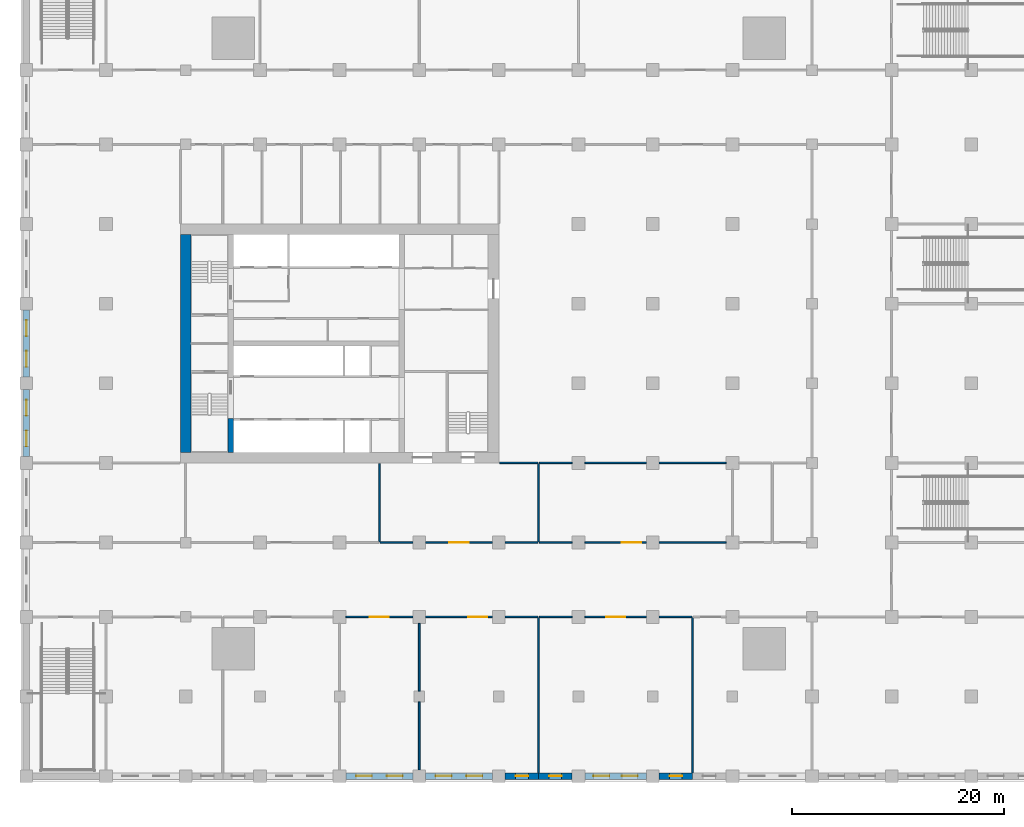
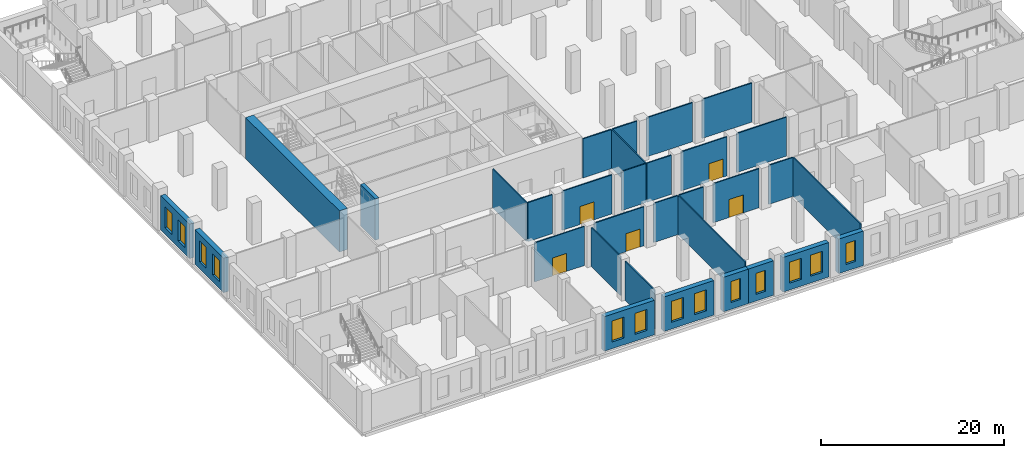
# One storey, part 7 of 35: 32 walls, 13 windows, 5 doors, 18 openings.
"""IFC4 building model written with IfcOpenShell, lengths in metres."""

from ifc_helpers import new_model, si_unit, direction, frame, frame_2d, origin, place, context, subcontext, project, spatial, rectangle, extrude, material, layer, layer_set, type_object, element, fill, save


model = new_model("IFC4")

# Units and contexts
model_context = context("Model", 3, precision=1e-05, world=origin(), true_north=direction((0.0, 1.0)))
body_context = subcontext(model_context, "Body", "Model", "MODEL_VIEW")
ifc_project = project(units=[si_unit("LENGTHUNIT", "METRE"), si_unit("AREAUNIT", "SQUARE_METRE"), si_unit("VOLUMEUNIT", "CUBIC_METRE"), si_unit("PLANEANGLEUNIT", "RADIAN"), si_unit("MASSUNIT", "GRAM", prefix="KILO")], contexts=[model_context])

# Site, building, storey
site_placement = place(None, origin())
site = spatial("IfcSite", under=ifc_project, at=site_placement, CompositionType="ELEMENT")
building_placement = place(site_placement, origin())
building = spatial("IfcBuilding", under=site, at=building_placement, Name="Tamorin Gate", CompositionType="ELEMENT")
storey_placement = place(building_placement, frame((0.0, 0.0, 8.0)))
storey = spatial("IfcBuildingStorey", under=building, at=storey_placement, Name="L01", CompositionType="ELEMENT", Elevation=8.0)

# Wall, opening, door
ifc_material_1 = material(Name="Concrete masonry C20/25", Category="masonry")
ifc_layer_1 = layer(ifc_material_1, 0.14990234375)
ifc_layer_set_1 = layer_set([ifc_layer_1], Name="Partition 150")
wall_type_1 = type_object("IfcWallType", Name="Partition 150", PredefinedType="PARTITIONING", material=ifc_layer_set_1)
wall_1_placement = place(storey_placement, frame((45.60009765625, 45.5, 0.0), z_axis=(0.0, 0.0, 1.0), x_axis=(1.0, 0.0, 0.0)))
wall_1 = element("IfcWall", 1, at=wall_1_placement, inside=storey, type_object=wall_type_1, Name="Partition 150 L01", PredefinedType="PARTITIONING", context=body_context, shape_type="SweptSolid", body=[
    extrude(rectangle(XDim=6.2998046875, YDim=0.14990234375, at=frame_2d((3.14990234375, 0.0))), origin(), (0.0, 0.0, 1.0), 5.199951171875),
])
opening_1_placement = place(wall_1_placement, frame((2.25, 0.0, 0.0)))
opening_1 = element("IfcOpeningElement", 2, at=opening_1_placement, cuts=wall_1, Name="Opening DP3", PredefinedType="OPENING", context=body_context, shape_type="SweptSolid", body=[
    extrude(rectangle(XDim=1.800048828125, YDim=2.39990234375, at=frame_2d((0.89990234375, 1.199951171875))), frame((0.0, 0.0849609375, 0.0), z_axis=(0.0, -1.0, 0.0), x_axis=(1.0, 0.0, 0.0)), (0.0, 0.0, 1.0), 0.169921875),
])
ifc_material_2 = material(Name="Steel and glass", Category="steel")
door_type = type_object("IfcDoorType", Name="Door pair 1800", OperationType="DOUBLE_DOOR_SINGLE_SWING", PredefinedType="DOOR", material=ifc_material_2)
door_1_placement = place(opening_1_placement, origin())
door_1 = element("IfcDoor", 3, at=door_1_placement, inside=storey, type_object=door_type, Name="Door pair 1800 L01", OperationType="SINGLE_SWING_LEFT", OverallHeight=2.39990234375, OverallWidth=1.800048828125, PredefinedType="DOOR", context=body_context, shape_type="SweptSolid", body=[
    extrude(rectangle(XDim=1.800048828125, YDim=2.39990234375, at=frame_2d((0.89990234375, 1.199951171875))), frame((0.0, 0.02490234375, 0.0), z_axis=(0.0, -1.0, 0.0), x_axis=(1.0, 0.0, 0.0)), (0.0, 0.0, 1.0), 0.050048828125),
])
fill(opening_1, door_1)

wall_2_placement = place(storey_placement, frame((53.10009765625, 45.5, 0.0), z_axis=(0.0, 0.0, 1.0), x_axis=(1.0, 0.0, 0.0)))
wall_2 = element("IfcWall", 4, at=wall_2_placement, inside=storey, type_object=wall_type_1, Name="Partition 150 L01", PredefinedType="PARTITIONING", context=body_context, shape_type="SweptSolid", body=[
    extrude(rectangle(XDim=6.2998046875, YDim=0.14990234375, at=frame_2d((3.14990234375, 0.0))), origin(), (0.0, 0.0, 1.0), 5.199951171875),
])
opening_2_placement = place(wall_2_placement, frame((4.0, 0.0, 0.0)))
opening_2 = element("IfcOpeningElement", 5, at=opening_2_placement, cuts=wall_2, Name="Opening DP3", PredefinedType="OPENING", context=body_context, shape_type="SweptSolid", body=[
    extrude(rectangle(XDim=1.800048828125, YDim=2.39990234375, at=frame_2d((0.89990234375, 1.199951171875))), frame((0.0, 0.0849609375, 0.0), z_axis=(0.0, -1.0, 0.0), x_axis=(1.0, 0.0, 0.0)), (0.0, 0.0, 1.0), 0.169921875),
])
door_2_placement = place(opening_2_placement, origin())
door_2 = element("IfcDoor", 6, at=door_2_placement, inside=storey, type_object=door_type, Name="Door pair 1800 L01", OperationType="SINGLE_SWING_LEFT", OverallHeight=2.39990234375, OverallWidth=1.800048828125, PredefinedType="DOOR", context=body_context, shape_type="SweptSolid", body=[
    extrude(rectangle(XDim=1.800048828125, YDim=2.39990234375, at=frame_2d((0.89990234375, 1.199951171875))), frame((0.0, 0.02490234375, 0.0), z_axis=(0.0, -1.0, 0.0), x_axis=(1.0, 0.0, 0.0)), (0.0, 0.0, 1.0), 0.050048828125),
])
fill(opening_2, door_2)

# Walls
for number, where, z_axis, x_axis, name in (
    (7, (60.60009765625, 45.5, 0.0), (0.0, 0.0, 1.0), (1.0, 0.0, 0.0), "Partition 150 L01"),
    (8, (63.824951171875, 45.5, 0.0), (0.0, 0.0, 1.0), (1.0, 0.0, 0.0), "Partition 150 L01"),
):
    element("IfcWall", number, at=place(storey_placement, frame(where, z_axis=z_axis, x_axis=x_axis)), inside=storey, type_object=wall_type_1, Name=name, PredefinedType="PARTITIONING", context=body_context, shape_type="SweptSolid", body=[
        extrude(rectangle(XDim=3.074951171875, YDim=0.14990234375, at=frame_2d((1.53759765625, 0.0))), origin(), (0.0, 0.0, 1.0), 5.199951171875),
    ])

# Wall, opening, door
wall_3_placement = place(storey_placement, frame((68.10009765625, 45.5, 0.0), z_axis=(0.0, 0.0, 1.0), x_axis=(1.0, 0.0, 0.0)))
wall_3 = element("IfcWall", 9, at=wall_3_placement, inside=storey, type_object=wall_type_1, Name="Partition 150 L01", PredefinedType="PARTITIONING", context=body_context, shape_type="SweptSolid", body=[
    extrude(rectangle(XDim=5.7998046875, YDim=0.14990234375, at=frame_2d((2.89990234375, 0.0))), origin(), (0.0, 0.0, 1.0), 5.199951171875),
])
opening_3_placement = place(wall_3_placement, frame((2.0, 0.0, 0.0)))
opening_3 = element("IfcOpeningElement", 10, at=opening_3_placement, cuts=wall_3, Name="Opening DP3", PredefinedType="OPENING", context=body_context, shape_type="SweptSolid", body=[
    extrude(rectangle(XDim=1.800048828125, YDim=2.39990234375, at=frame_2d((0.89990234375, 1.199951171875))), frame((0.0, 0.0849609375, 0.0), z_axis=(0.0, -1.0, 0.0), x_axis=(1.0, 0.0, 0.0)), (0.0, 0.0, 1.0), 0.169921875),
])
door_3_placement = place(opening_3_placement, origin())
door_3 = element("IfcDoor", 11, at=door_3_placement, inside=storey, type_object=door_type, Name="Door pair 1800 L01", OperationType="SINGLE_SWING_LEFT", OverallHeight=2.39990234375, OverallWidth=1.800048828125, PredefinedType="DOOR", context=body_context, shape_type="SweptSolid", body=[
    extrude(rectangle(XDim=1.800048828125, YDim=2.39990234375, at=frame_2d((0.89990234375, 1.199951171875))), frame((0.0, 0.02490234375, 0.0), z_axis=(0.0, -1.0, 0.0), x_axis=(1.0, 0.0, 0.0)), (0.0, 0.0, 1.0), 0.050048828125),
])
fill(opening_3, door_3)

# Walls
for number, where, z_axis, x_axis, name in (
    (12, (75.10009765625, 45.5, 0.0), (0.0, 0.0, 1.0), (1.0, 0.0, 0.0), "Partition 150 L01"),
    (13, (48.824951171875, 52.5, 0.0), (0.0, 0.0, 1.0), (1.0, 0.0, 0.0), "Partition 150 L01"),
):
    element("IfcWall", number, at=place(storey_placement, frame(where, z_axis=z_axis, x_axis=x_axis)), inside=storey, type_object=wall_type_1, Name=name, PredefinedType="PARTITIONING", context=body_context, shape_type="SweptSolid", body=[
        extrude(rectangle(XDim=3.074951171875, YDim=0.14990234375, at=frame_2d((1.53759765625, 0.0))), origin(), (0.0, 0.0, 1.0), 5.199951171875),
    ])

# Wall, opening, door
wall_4_placement = place(storey_placement, frame((59.39990234375, 52.5, 0.0), z_axis=(0.0, 0.0, 1.0), x_axis=(-1.0, 0.0, 0.0)))
wall_4 = element("IfcWall", 14, at=wall_4_placement, inside=storey, type_object=wall_type_1, Name="Partition 150 L01", PredefinedType="PARTITIONING", context=body_context, shape_type="SweptSolid", body=[
    extrude(rectangle(XDim=6.2998046875, YDim=0.14990234375, at=frame_2d((3.14990234375, 0.0))), origin(), (0.0, 0.0, 1.0), 5.199951171875),
])
opening_4_placement = place(wall_4_placement, frame((2.25, 0.0, 0.0)))
opening_4 = element("IfcOpeningElement", 15, at=opening_4_placement, cuts=wall_4, Name="Opening DP3", PredefinedType="OPENING", context=body_context, shape_type="SweptSolid", body=[
    extrude(rectangle(XDim=1.800048828125, YDim=2.39990234375, at=frame_2d((0.89990234375, 1.199951171875))), frame((0.0, 0.0849609375, 0.0), z_axis=(0.0, -1.0, 0.0), x_axis=(1.0, 0.0, 0.0)), (0.0, 0.0, 1.0), 0.169921875),
])
door_4_placement = place(opening_4_placement, origin())
door_4 = element("IfcDoor", 16, at=door_4_placement, inside=storey, type_object=door_type, Name="Door pair 1800 L01", OperationType="SINGLE_SWING_LEFT", OverallHeight=2.39990234375, OverallWidth=1.800048828125, PredefinedType="DOOR", context=body_context, shape_type="SweptSolid", body=[
    extrude(rectangle(XDim=1.800048828125, YDim=2.39990234375, at=frame_2d((0.89990234375, 1.199951171875))), frame((0.0, 0.02490234375, 0.0), z_axis=(0.0, -1.0, 0.0), x_axis=(1.0, 0.0, 0.0)), (0.0, 0.0, 1.0), 0.050048828125),
])
fill(opening_4, door_4)

# Walls
for number, where, z_axis, x_axis, name in (
    (17, (60.60009765625, 52.5, 0.0), (0.0, 0.0, 1.0), (1.0, 0.0, 0.0), "Partition 150 L01"),
    (18, (63.824951171875, 52.5, 0.0), (0.0, 0.0, 1.0), (1.0, 0.0, 0.0), "Partition 150 L01"),
):
    element("IfcWall", number, at=place(storey_placement, frame(where, z_axis=z_axis, x_axis=x_axis)), inside=storey, type_object=wall_type_1, Name=name, PredefinedType="PARTITIONING", context=body_context, shape_type="SweptSolid", body=[
        extrude(rectangle(XDim=3.074951171875, YDim=0.14990234375, at=frame_2d((1.53759765625, 0.0))), origin(), (0.0, 0.0, 1.0), 5.199951171875),
    ])

# Wall, opening, door
wall_5_placement = place(storey_placement, frame((73.89990234375, 52.5, 0.0), z_axis=(0.0, 0.0, 1.0), x_axis=(-1.0, 0.0, 0.0)))
wall_5 = element("IfcWall", 19, at=wall_5_placement, inside=storey, type_object=wall_type_1, Name="Partition 150 L01", PredefinedType="PARTITIONING", context=body_context, shape_type="SweptSolid", body=[
    extrude(rectangle(XDim=5.7998046875, YDim=0.14990234375, at=frame_2d((2.89990234375, 0.0))), origin(), (0.0, 0.0, 1.0), 5.199951171875),
])
opening_5_placement = place(wall_5_placement, frame((0.5, 0.0, 0.0)))
opening_5 = element("IfcOpeningElement", 20, at=opening_5_placement, cuts=wall_5, Name="Opening DP3", PredefinedType="OPENING", context=body_context, shape_type="SweptSolid", body=[
    extrude(rectangle(XDim=1.800048828125, YDim=2.39990234375, at=frame_2d((0.89990234375, 1.199951171875))), frame((0.0, 0.0849609375, 0.0), z_axis=(0.0, -1.0, 0.0), x_axis=(1.0, 0.0, 0.0)), (0.0, 0.0, 1.0), 0.169921875),
])
door_5_placement = place(opening_5_placement, origin())
door_5 = element("IfcDoor", 21, at=door_5_placement, inside=storey, type_object=door_type, Name="Door pair 1800 L01", OperationType="SINGLE_SWING_LEFT", OverallHeight=2.39990234375, OverallWidth=1.800048828125, PredefinedType="DOOR", context=body_context, shape_type="SweptSolid", body=[
    extrude(rectangle(XDim=1.800048828125, YDim=2.39990234375, at=frame_2d((0.89990234375, 1.199951171875))), frame((0.0, 0.02490234375, 0.0), z_axis=(0.0, -1.0, 0.0), x_axis=(1.0, 0.0, 0.0)), (0.0, 0.0, 1.0), 0.050048828125),
])
fill(opening_5, door_5)

# Walls
wall_6_placement = place(storey_placement, frame((75.10009765625, 52.5, 0.0), z_axis=(0.0, 0.0, 1.0), x_axis=(1.0, 0.0, 0.0)))
element("IfcWall", 22, at=wall_6_placement, inside=storey, type_object=wall_type_1, Name="Partition 150 L01", PredefinedType="PARTITIONING", context=body_context, shape_type="SweptSolid", body=[
    extrude(rectangle(XDim=6.2998046875, YDim=0.14990234375, at=frame_2d((3.14990234375, 0.0))), origin(), (0.0, 0.0, 1.0), 5.199951171875),
])
wall_7_placement = place(storey_placement, frame((60.074951171875, 60.0, 0.0), z_axis=(0.0, 0.0, 1.0), x_axis=(1.0, 0.0, 0.0)))
element("IfcWall", 23, at=wall_7_placement, inside=storey, type_object=wall_type_1, Name="Partition 150 L01", PredefinedType="PARTITIONING", context=body_context, shape_type="SweptSolid", body=[
    extrude(rectangle(XDim=3.60009765625, YDim=0.14990234375, at=frame_2d((1.800048828125, 0.0))), origin(), (0.0, 0.0, 1.0), 5.199951171875),
])
wall_8_placement = place(storey_placement, frame((63.824951171875, 60.0, 0.0), z_axis=(0.0, 0.0, 1.0), x_axis=(1.0, 0.0, 0.0)))
element("IfcWall", 24, at=wall_8_placement, inside=storey, type_object=wall_type_1, Name="Partition 150 L01", PredefinedType="PARTITIONING", context=body_context, shape_type="SweptSolid", body=[
    extrude(rectangle(XDim=3.074951171875, YDim=0.14990234375, at=frame_2d((1.53759765625, 0.0))), origin(), (0.0, 0.0, 1.0), 5.199951171875),
])
wall_9_placement = place(storey_placement, frame((68.10009765625, 60.0, 0.0), z_axis=(0.0, 0.0, 1.0), x_axis=(1.0, 0.0, 0.0)))
element("IfcWall", 25, at=wall_9_placement, inside=storey, type_object=wall_type_1, Name="Partition 150 L01", PredefinedType="PARTITIONING", context=body_context, shape_type="SweptSolid", body=[
    extrude(rectangle(XDim=5.7998046875, YDim=0.14990234375, at=frame_2d((2.89990234375, 0.0))), origin(), (0.0, 0.0, 1.0), 5.199951171875),
])
wall_10_placement = place(storey_placement, frame((75.10009765625, 60.0, 0.0), z_axis=(0.0, 0.0, 1.0), x_axis=(1.0, 0.0, 0.0)))
element("IfcWall", 26, at=wall_10_placement, inside=storey, type_object=wall_type_1, Name="Partition 150 L01", PredefinedType="PARTITIONING", context=body_context, shape_type="SweptSolid", body=[
    extrude(rectangle(XDim=6.2998046875, YDim=0.14990234375, at=frame_2d((3.14990234375, 0.0))), origin(), (0.0, 0.0, 1.0), 5.199951171875),
])
for number, where, z_axis, x_axis, name in (
    (27, (52.5, 31.10009765625, 0.0), (0.0, 0.0, 1.0), (0.0, 1.0, 0.0), "Partition 150 L01"),
    (28, (52.5, 38.5, 0.0), (0.0, 0.0, 1.0), (0.0, 1.0, 0.0), "Partition 150 L01"),
):
    element("IfcWall", number, at=place(storey_placement, frame(where, z_axis=z_axis, x_axis=x_axis)), inside=storey, type_object=wall_type_1, Name=name, PredefinedType="PARTITIONING", context=body_context, shape_type="SweptSolid", body=[
        extrude(rectangle(XDim=6.39990234375, YDim=0.14990234375, at=frame_2d((3.199951171875, 0.0))), origin(), (0.0, 0.0, 1.0), 5.199951171875),
    ])
wall_11_placement = place(storey_placement, frame((63.75, 30.800048828125, 0.0), z_axis=(0.0, 0.0, 1.0), x_axis=(0.0, 1.0, 0.0)))
element("IfcWall", 29, at=wall_11_placement, inside=storey, type_object=wall_type_1, Name="Partition 150 L01", PredefinedType="PARTITIONING", context=body_context, shape_type="SweptSolid", body=[
    extrude(rectangle(XDim=14.625, YDim=0.14990234375, at=frame_2d((7.3125, 0.0))), origin(), (0.0, 0.0, 1.0), 5.199951171875),
])
wall_12_placement = place(storey_placement, frame((63.75, 52.574951171875, 0.0), z_axis=(0.0, 0.0, 1.0), x_axis=(0.0, 1.0, 0.0)))
element("IfcWall", 30, at=wall_12_placement, inside=storey, type_object=wall_type_1, Name="Partition 150 L01", PredefinedType="PARTITIONING", context=body_context, shape_type="SweptSolid", body=[
    extrude(rectangle(XDim=7.35009765625, YDim=0.14990234375, at=frame_2d((3.675048828125, 0.0))), origin(), (0.0, 0.0, 1.0), 5.199951171875),
])
wall_13_placement = place(storey_placement, frame((78.25, 30.800048828125, 0.0), z_axis=(0.0, 0.0, 1.0), x_axis=(0.0, 1.0, 0.0)))
element("IfcWall", 31, at=wall_13_placement, inside=storey, type_object=wall_type_1, Name="Partition 150 L01", PredefinedType="PARTITIONING", context=body_context, shape_type="SweptSolid", body=[
    extrude(rectangle(XDim=14.625, YDim=0.14990234375, at=frame_2d((7.3125, 0.0))), origin(), (0.0, 0.0, 1.0), 5.199951171875),
])
wall_14_placement = place(storey_placement, frame((48.75, 52.574951171875, 0.0), z_axis=(0.0, 0.0, 1.0), x_axis=(0.0, 1.0, 0.0)))
element("IfcWall", 32, at=wall_14_placement, inside=storey, type_object=wall_type_1, Name="Partition 150 L01", PredefinedType="PARTITIONING", context=body_context, shape_type="SweptSolid", body=[
    extrude(rectangle(XDim=7.35009765625, YDim=0.14990234375, at=frame_2d((3.675048828125, 0.0))), origin(), (0.0, 0.0, 1.0), 5.199951171875),
])

# Wall, openings, windows
ifc_material_3 = material(Name="Precast concrete C40/50", Category="concrete")
ifc_layer_2 = layer(ifc_material_3, 0.60009765625)
ifc_layer_set_2 = layer_set([ifc_layer_2], Name="Precast concrete C40/50")
wall_type_2 = type_object("IfcWallType", Name="Precast plinth wall 600", PredefinedType="PARTITIONING", material=ifc_layer_set_2)
wall_15_placement = place(storey_placement, frame((45.60009765625, 30.5, 0.0), z_axis=(0.0, 0.0, 1.0), x_axis=(1.0, 0.0, 0.0)))
wall_15 = element("IfcWall", 33, at=wall_15_placement, inside=storey, type_object=wall_type_2, Name="Precast plinth wall 600 L01", PredefinedType="PARTITIONING", context=body_context, shape_type="SweptSolid", body=[
    extrude(rectangle(XDim=6.2998046875, YDim=0.60009765625, at=frame_2d((3.14990234375, 0.0))), origin(), (0.0, 0.0, 1.0), 4.60009765625),
])
opening_6_placement = place(wall_15_placement, frame((0.950927734375, 0.0, 0.89990234375)))
opening_6 = element("IfcOpeningElement", 34, at=opening_6_placement, cuts=wall_15, Name="Opening PWN5", PredefinedType="OPENING", context=body_context, shape_type="SweptSolid", body=[
    extrude(rectangle(XDim=1.5, YDim=2.800048828125, at=frame_2d((0.75, 1.39990234375))), frame((0.0, 0.31005859375, 0.0), z_axis=(0.0, -1.0, 0.0), x_axis=(1.0, 0.0, 0.0)), (0.0, 0.0, 1.0), 0.6201171875),
])
opening_7_placement = place(wall_15_placement, frame((3.84912109375, 0.0, 0.89990234375)))
opening_7 = element("IfcOpeningElement", 35, at=opening_7_placement, cuts=wall_15, Name="Opening PWN5", PredefinedType="OPENING", context=body_context, shape_type="SweptSolid", body=[
    extrude(rectangle(XDim=1.5, YDim=2.800048828125, at=frame_2d((0.75, 1.39990234375))), frame((0.0, 0.31005859375, 0.0), z_axis=(0.0, -1.0, 0.0), x_axis=(1.0, 0.0, 0.0)), (0.0, 0.0, 1.0), 0.6201171875),
])
ifc_material_4 = material(Name="Aluminium and glass", Category="aluminium")
window_type_1 = type_object("IfcWindowType", Name="Plinth window 1500x2800", PartitioningType="DOUBLE_PANEL_VERTICAL", PredefinedType="WINDOW", material=ifc_material_4)
window_1_placement = place(opening_6_placement, origin())
window_1 = element("IfcWindow", 36, at=window_1_placement, inside=storey, type_object=window_type_1, Name="Plinth window 1500x2800", OverallHeight=2.800048828125, OverallWidth=1.5, PartitioningType="SINGLE_PANEL", PredefinedType="WINDOW", context=body_context, shape_type="SweptSolid", body=[
    extrude(rectangle(XDim=1.5, YDim=2.800048828125, at=frame_2d((0.75, 1.39990234375))), frame((0.0, 0.030029296875, 0.0), z_axis=(0.0, -1.0, 0.0), x_axis=(1.0, 0.0, 0.0)), (0.0, 0.0, 1.0), 0.06005859375),
])
fill(opening_6, window_1)
window_2_placement = place(opening_7_placement, origin())
window_2 = element("IfcWindow", 37, at=window_2_placement, inside=storey, type_object=window_type_1, Name="Plinth window 1500x2800", OverallHeight=2.800048828125, OverallWidth=1.5, PartitioningType="SINGLE_PANEL", PredefinedType="WINDOW", context=body_context, shape_type="SweptSolid", body=[
    extrude(rectangle(XDim=1.5, YDim=2.800048828125, at=frame_2d((0.75, 1.39990234375))), frame((0.0, 0.030029296875, 0.0), z_axis=(0.0, -1.0, 0.0), x_axis=(1.0, 0.0, 0.0)), (0.0, 0.0, 1.0), 0.06005859375),
])
fill(opening_7, window_2)

wall_16_placement = place(storey_placement, frame((53.10009765625, 30.5, 0.0), z_axis=(0.0, 0.0, 1.0), x_axis=(1.0, 0.0, 0.0)))
wall_16 = element("IfcWall", 38, at=wall_16_placement, inside=storey, type_object=wall_type_2, Name="Precast plinth wall 600 L01", PredefinedType="PARTITIONING", context=body_context, shape_type="SweptSolid", body=[
    extrude(rectangle(XDim=6.2998046875, YDim=0.60009765625, at=frame_2d((3.14990234375, 0.0))), origin(), (0.0, 0.0, 1.0), 4.60009765625),
])
opening_8_placement = place(wall_16_placement, frame((0.950927734375, 0.0, 0.89990234375)))
opening_8 = element("IfcOpeningElement", 39, at=opening_8_placement, cuts=wall_16, Name="Opening PWN5", PredefinedType="OPENING", context=body_context, shape_type="SweptSolid", body=[
    extrude(rectangle(XDim=1.5, YDim=2.800048828125, at=frame_2d((0.75, 1.39990234375))), frame((0.0, 0.31005859375, 0.0), z_axis=(0.0, -1.0, 0.0), x_axis=(1.0, 0.0, 0.0)), (0.0, 0.0, 1.0), 0.6201171875),
])
opening_9_placement = place(wall_16_placement, frame((3.84912109375, 0.0, 0.89990234375)))
opening_9 = element("IfcOpeningElement", 40, at=opening_9_placement, cuts=wall_16, Name="Opening PWN5", PredefinedType="OPENING", context=body_context, shape_type="SweptSolid", body=[
    extrude(rectangle(XDim=1.5, YDim=2.800048828125, at=frame_2d((0.75, 1.39990234375))), frame((0.0, 0.31005859375, 0.0), z_axis=(0.0, -1.0, 0.0), x_axis=(1.0, 0.0, 0.0)), (0.0, 0.0, 1.0), 0.6201171875),
])
window_3_placement = place(opening_8_placement, origin())
window_3 = element("IfcWindow", 41, at=window_3_placement, inside=storey, type_object=window_type_1, Name="Plinth window 1500x2800", OverallHeight=2.800048828125, OverallWidth=1.5, PartitioningType="SINGLE_PANEL", PredefinedType="WINDOW", context=body_context, shape_type="SweptSolid", body=[
    extrude(rectangle(XDim=1.5, YDim=2.800048828125, at=frame_2d((0.75, 1.39990234375))), frame((0.0, 0.030029296875, 0.0), z_axis=(0.0, -1.0, 0.0), x_axis=(1.0, 0.0, 0.0)), (0.0, 0.0, 1.0), 0.06005859375),
])
fill(opening_8, window_3)
window_4_placement = place(opening_9_placement, origin())
window_4 = element("IfcWindow", 42, at=window_4_placement, inside=storey, type_object=window_type_1, Name="Plinth window 1500x2800", OverallHeight=2.800048828125, OverallWidth=1.5, PartitioningType="SINGLE_PANEL", PredefinedType="WINDOW", context=body_context, shape_type="SweptSolid", body=[
    extrude(rectangle(XDim=1.5, YDim=2.800048828125, at=frame_2d((0.75, 1.39990234375))), frame((0.0, 0.030029296875, 0.0), z_axis=(0.0, -1.0, 0.0), x_axis=(1.0, 0.0, 0.0)), (0.0, 0.0, 1.0), 0.06005859375),
])
fill(opening_9, window_4)

# Wall, opening, window
wall_17_placement = place(storey_placement, frame((60.60009765625, 30.5, 0.0), z_axis=(0.0, 0.0, 1.0), x_axis=(1.0, 0.0, 0.0)))
wall_17 = element("IfcWall", 43, at=wall_17_placement, inside=storey, type_object=wall_type_2, Name="Precast plinth wall 600 L01", PredefinedType="PARTITIONING", context=body_context, shape_type="SweptSolid", body=[
    extrude(rectangle(XDim=3.14990234375, YDim=0.60009765625, at=frame_2d((1.574951171875, 0.0))), origin(), (0.0, 0.0, 1.0), 4.60009765625),
])
opening_10_placement = place(wall_17_placement, frame((0.97509765625, 0.0, 0.89990234375)))
opening_10 = element("IfcOpeningElement", 44, at=opening_10_placement, cuts=wall_17, Name="Opening PWN4", PredefinedType="OPENING", context=body_context, shape_type="SweptSolid", body=[
    extrude(rectangle(XDim=1.199951171875, YDim=2.800048828125, at=frame_2d((0.60009765625, 1.39990234375))), frame((0.0, 0.31005859375, 0.0), z_axis=(0.0, -1.0, 0.0), x_axis=(1.0, 0.0, 0.0)), (0.0, 0.0, 1.0), 0.6201171875),
])
window_type_2 = type_object("IfcWindowType", Name="Plinth window 1200x2800", PartitioningType="DOUBLE_PANEL_VERTICAL", PredefinedType="WINDOW", material=ifc_material_4)
window_5_placement = place(opening_10_placement, origin())
window_5 = element("IfcWindow", 45, at=window_5_placement, inside=storey, type_object=window_type_2, Name="Plinth window 1200x2800", OverallHeight=2.800048828125, OverallWidth=1.199951171875, PartitioningType="SINGLE_PANEL", PredefinedType="WINDOW", context=body_context, shape_type="SweptSolid", body=[
    extrude(rectangle(XDim=1.199951171875, YDim=2.800048828125, at=frame_2d((0.60009765625, 1.39990234375))), frame((0.0, 0.030029296875, 0.0), z_axis=(0.0, -1.0, 0.0), x_axis=(1.0, 0.0, 0.0)), (0.0, 0.0, 1.0), 0.06005859375),
])
fill(opening_10, window_5)

wall_18_placement = place(storey_placement, frame((63.75, 30.5, 0.0), z_axis=(0.0, 0.0, 1.0), x_axis=(1.0, 0.0, 0.0)))
wall_18 = element("IfcWall", 46, at=wall_18_placement, inside=storey, type_object=wall_type_2, Name="Precast plinth wall 600 L01", PredefinedType="PARTITIONING", context=body_context, shape_type="SweptSolid", body=[
    extrude(rectangle(XDim=3.14990234375, YDim=0.60009765625, at=frame_2d((1.574951171875, 0.0))), origin(), (0.0, 0.0, 1.0), 4.60009765625),
])
opening_11_placement = place(wall_18_placement, frame((0.97509765625, 0.0, 0.89990234375)))
opening_11 = element("IfcOpeningElement", 47, at=opening_11_placement, cuts=wall_18, Name="Opening PWN4", PredefinedType="OPENING", context=body_context, shape_type="SweptSolid", body=[
    extrude(rectangle(XDim=1.199951171875, YDim=2.800048828125, at=frame_2d((0.60009765625, 1.39990234375))), frame((0.0, 0.31005859375, 0.0), z_axis=(0.0, -1.0, 0.0), x_axis=(1.0, 0.0, 0.0)), (0.0, 0.0, 1.0), 0.6201171875),
])
window_6_placement = place(opening_11_placement, origin())
window_6 = element("IfcWindow", 48, at=window_6_placement, inside=storey, type_object=window_type_2, Name="Plinth window 1200x2800", OverallHeight=2.800048828125, OverallWidth=1.199951171875, PartitioningType="SINGLE_PANEL", PredefinedType="WINDOW", context=body_context, shape_type="SweptSolid", body=[
    extrude(rectangle(XDim=1.199951171875, YDim=2.800048828125, at=frame_2d((0.60009765625, 1.39990234375))), frame((0.0, 0.030029296875, 0.0), z_axis=(0.0, -1.0, 0.0), x_axis=(1.0, 0.0, 0.0)), (0.0, 0.0, 1.0), 0.06005859375),
])
fill(opening_11, window_6)

# Wall, openings, windows
wall_19_placement = place(storey_placement, frame((68.10009765625, 30.5, 0.0), z_axis=(0.0, 0.0, 1.0), x_axis=(1.0, 0.0, 0.0)))
wall_19 = element("IfcWall", 49, at=wall_19_placement, inside=storey, type_object=wall_type_2, Name="Precast plinth wall 600 L01", PredefinedType="PARTITIONING", context=body_context, shape_type="SweptSolid", body=[
    extrude(rectangle(XDim=5.7998046875, YDim=0.60009765625, at=frame_2d((2.89990234375, 0.0))), origin(), (0.0, 0.0, 1.0), 4.60009765625),
])
opening_12_placement = place(wall_19_placement, frame((0.81591796875, 0.0, 0.89990234375)))
opening_12 = element("IfcOpeningElement", 50, at=opening_12_placement, cuts=wall_19, Name="Opening PWN5", PredefinedType="OPENING", context=body_context, shape_type="SweptSolid", body=[
    extrude(rectangle(XDim=1.5, YDim=2.800048828125, at=frame_2d((0.75, 1.39990234375))), frame((0.0, 0.31005859375, 0.0), z_axis=(0.0, -1.0, 0.0), x_axis=(1.0, 0.0, 0.0)), (0.0, 0.0, 1.0), 0.6201171875),
])
opening_13_placement = place(wall_19_placement, frame((3.48388671875, 0.0, 0.89990234375)))
opening_13 = element("IfcOpeningElement", 51, at=opening_13_placement, cuts=wall_19, Name="Opening PWN5", PredefinedType="OPENING", context=body_context, shape_type="SweptSolid", body=[
    extrude(rectangle(XDim=1.5, YDim=2.800048828125, at=frame_2d((0.75, 1.39990234375))), frame((0.0, 0.31005859375, 0.0), z_axis=(0.0, -1.0, 0.0), x_axis=(1.0, 0.0, 0.0)), (0.0, 0.0, 1.0), 0.6201171875),
])
window_7_placement = place(opening_12_placement, origin())
window_7 = element("IfcWindow", 52, at=window_7_placement, inside=storey, type_object=window_type_1, Name="Plinth window 1500x2800", OverallHeight=2.800048828125, OverallWidth=1.5, PartitioningType="SINGLE_PANEL", PredefinedType="WINDOW", context=body_context, shape_type="SweptSolid", body=[
    extrude(rectangle(XDim=1.5, YDim=2.800048828125, at=frame_2d((0.75, 1.39990234375))), frame((0.0, 0.030029296875, 0.0), z_axis=(0.0, -1.0, 0.0), x_axis=(1.0, 0.0, 0.0)), (0.0, 0.0, 1.0), 0.06005859375),
])
fill(opening_12, window_7)
window_8_placement = place(opening_13_placement, origin())
window_8 = element("IfcWindow", 53, at=window_8_placement, inside=storey, type_object=window_type_1, Name="Plinth window 1500x2800", OverallHeight=2.800048828125, OverallWidth=1.5, PartitioningType="SINGLE_PANEL", PredefinedType="WINDOW", context=body_context, shape_type="SweptSolid", body=[
    extrude(rectangle(XDim=1.5, YDim=2.800048828125, at=frame_2d((0.75, 1.39990234375))), frame((0.0, 0.030029296875, 0.0), z_axis=(0.0, -1.0, 0.0), x_axis=(1.0, 0.0, 0.0)), (0.0, 0.0, 1.0), 0.06005859375),
])
fill(opening_13, window_8)

# Wall, opening, window
wall_20_placement = place(storey_placement, frame((75.10009765625, 30.5, 0.0), z_axis=(0.0, 0.0, 1.0), x_axis=(1.0, 0.0, 0.0)))
wall_20 = element("IfcWall", 54, at=wall_20_placement, inside=storey, type_object=wall_type_2, Name="Precast plinth wall 600 L01", PredefinedType="PARTITIONING", context=body_context, shape_type="SweptSolid", body=[
    extrude(rectangle(XDim=3.14990234375, YDim=0.60009765625, at=frame_2d((1.574951171875, 0.0))), origin(), (0.0, 0.0, 1.0), 4.60009765625),
])
opening_14_placement = place(wall_20_placement, frame((0.97509765625, 0.0, 0.89990234375)))
opening_14 = element("IfcOpeningElement", 55, at=opening_14_placement, cuts=wall_20, Name="Opening PWN4", PredefinedType="OPENING", context=body_context, shape_type="SweptSolid", body=[
    extrude(rectangle(XDim=1.199951171875, YDim=2.800048828125, at=frame_2d((0.60009765625, 1.39990234375))), frame((0.0, 0.31005859375, 0.0), z_axis=(0.0, -1.0, 0.0), x_axis=(1.0, 0.0, 0.0)), (0.0, 0.0, 1.0), 0.6201171875),
])
window_9_placement = place(opening_14_placement, origin())
window_9 = element("IfcWindow", 56, at=window_9_placement, inside=storey, type_object=window_type_2, Name="Plinth window 1200x2800", OverallHeight=2.800048828125, OverallWidth=1.199951171875, PartitioningType="SINGLE_PANEL", PredefinedType="WINDOW", context=body_context, shape_type="SweptSolid", body=[
    extrude(rectangle(XDim=1.199951171875, YDim=2.800048828125, at=frame_2d((0.60009765625, 1.39990234375))), frame((0.0, 0.030029296875, 0.0), z_axis=(0.0, -1.0, 0.0), x_axis=(1.0, 0.0, 0.0)), (0.0, 0.0, 1.0), 0.06005859375),
])
fill(opening_14, window_9)

# Wall, openings, windows
wall_21_placement = place(storey_placement, frame((15.5, 60.60009765625, 0.0), z_axis=(0.0, 0.0, 1.0), x_axis=(0.0, 1.0, 0.0)))
wall_21 = element("IfcWall", 57, at=wall_21_placement, inside=storey, type_object=wall_type_2, Name="Precast plinth wall 600 L01", PredefinedType="PARTITIONING", context=body_context, shape_type="SweptSolid", body=[
    extrude(rectangle(XDim=6.2998046875, YDim=0.60009765625, at=frame_2d((3.14990234375, 0.0))), origin(), (0.0, 0.0, 1.0), 4.60009765625),
])
opening_15_placement = place(wall_21_placement, frame((0.950927734375, 0.0, 0.89990234375)))
opening_15 = element("IfcOpeningElement", 58, at=opening_15_placement, cuts=wall_21, Name="Opening PWN5", PredefinedType="OPENING", context=body_context, shape_type="SweptSolid", body=[
    extrude(rectangle(XDim=1.5, YDim=2.800048828125, at=frame_2d((0.75, 1.39990234375))), frame((0.0, 0.31005859375, 0.0), z_axis=(0.0, -1.0, 0.0), x_axis=(1.0, 0.0, 0.0)), (0.0, 0.0, 1.0), 0.6201171875),
])
opening_16_placement = place(wall_21_placement, frame((3.84912109375, 0.0, 0.89990234375)))
opening_16 = element("IfcOpeningElement", 59, at=opening_16_placement, cuts=wall_21, Name="Opening PWN5", PredefinedType="OPENING", context=body_context, shape_type="SweptSolid", body=[
    extrude(rectangle(XDim=1.5, YDim=2.800048828125, at=frame_2d((0.75, 1.39990234375))), frame((0.0, 0.31005859375, 0.0), z_axis=(0.0, -1.0, 0.0), x_axis=(1.0, 0.0, 0.0)), (0.0, 0.0, 1.0), 0.6201171875),
])
window_10_placement = place(opening_15_placement, origin())
window_10 = element("IfcWindow", 60, at=window_10_placement, inside=storey, type_object=window_type_1, Name="Plinth window 1500x2800", OverallHeight=2.800048828125, OverallWidth=1.5, PartitioningType="SINGLE_PANEL", PredefinedType="WINDOW", context=body_context, shape_type="SweptSolid", body=[
    extrude(rectangle(XDim=1.5, YDim=2.800048828125, at=frame_2d((0.75, 1.39990234375))), frame((0.0, 0.030029296875, 0.0), z_axis=(0.0, -1.0, 0.0), x_axis=(1.0, 0.0, 0.0)), (0.0, 0.0, 1.0), 0.06005859375),
])
fill(opening_15, window_10)
window_11_placement = place(opening_16_placement, origin())
window_11 = element("IfcWindow", 61, at=window_11_placement, inside=storey, type_object=window_type_1, Name="Plinth window 1500x2800", OverallHeight=2.800048828125, OverallWidth=1.5, PartitioningType="SINGLE_PANEL", PredefinedType="WINDOW", context=body_context, shape_type="SweptSolid", body=[
    extrude(rectangle(XDim=1.5, YDim=2.800048828125, at=frame_2d((0.75, 1.39990234375))), frame((0.0, 0.030029296875, 0.0), z_axis=(0.0, -1.0, 0.0), x_axis=(1.0, 0.0, 0.0)), (0.0, 0.0, 1.0), 0.06005859375),
])
fill(opening_16, window_11)

wall_22_placement = place(storey_placement, frame((15.5, 68.10009765625, 0.0), z_axis=(0.0, 0.0, 1.0), x_axis=(0.0, 1.0, 0.0)))
wall_22 = element("IfcWall", 62, at=wall_22_placement, inside=storey, type_object=wall_type_2, Name="Precast plinth wall 600 L01", PredefinedType="PARTITIONING", context=body_context, shape_type="SweptSolid", body=[
    extrude(rectangle(XDim=6.2998046875, YDim=0.60009765625, at=frame_2d((3.14990234375, 0.0))), origin(), (0.0, 0.0, 1.0), 4.60009765625),
])
opening_17_placement = place(wall_22_placement, frame((0.950927734375, 0.0, 0.89990234375)))
opening_17 = element("IfcOpeningElement", 63, at=opening_17_placement, cuts=wall_22, Name="Opening PWN5", PredefinedType="OPENING", context=body_context, shape_type="SweptSolid", body=[
    extrude(rectangle(XDim=1.5, YDim=2.800048828125, at=frame_2d((0.75, 1.39990234375))), frame((0.0, 0.31005859375, 0.0), z_axis=(0.0, -1.0, 0.0), x_axis=(1.0, 0.0, 0.0)), (0.0, 0.0, 1.0), 0.6201171875),
])
opening_18_placement = place(wall_22_placement, frame((3.84912109375, 0.0, 0.89990234375)))
opening_18 = element("IfcOpeningElement", 64, at=opening_18_placement, cuts=wall_22, Name="Opening PWN5", PredefinedType="OPENING", context=body_context, shape_type="SweptSolid", body=[
    extrude(rectangle(XDim=1.5, YDim=2.800048828125, at=frame_2d((0.75, 1.39990234375))), frame((0.0, 0.31005859375, 0.0), z_axis=(0.0, -1.0, 0.0), x_axis=(1.0, 0.0, 0.0)), (0.0, 0.0, 1.0), 0.6201171875),
])
window_12_placement = place(opening_17_placement, origin())
window_12 = element("IfcWindow", 65, at=window_12_placement, inside=storey, type_object=window_type_1, Name="Plinth window 1500x2800", OverallHeight=2.800048828125, OverallWidth=1.5, PartitioningType="SINGLE_PANEL", PredefinedType="WINDOW", context=body_context, shape_type="SweptSolid", body=[
    extrude(rectangle(XDim=1.5, YDim=2.800048828125, at=frame_2d((0.75, 1.39990234375))), frame((0.0, 0.030029296875, 0.0), z_axis=(0.0, -1.0, 0.0), x_axis=(1.0, 0.0, 0.0)), (0.0, 0.0, 1.0), 0.06005859375),
])
fill(opening_17, window_12)
window_13_placement = place(opening_18_placement, origin())
window_13 = element("IfcWindow", 66, at=window_13_placement, inside=storey, type_object=window_type_1, Name="Plinth window 1500x2800", OverallHeight=2.800048828125, OverallWidth=1.5, PartitioningType="SINGLE_PANEL", PredefinedType="WINDOW", context=body_context, shape_type="SweptSolid", body=[
    extrude(rectangle(XDim=1.5, YDim=2.800048828125, at=frame_2d((0.75, 1.39990234375))), frame((0.0, 0.030029296875, 0.0), z_axis=(0.0, -1.0, 0.0), x_axis=(1.0, 0.0, 0.0)), (0.0, 0.0, 1.0), 0.06005859375),
])
fill(opening_18, window_13)

# Walls
ifc_material_5 = material(Name="Concrete C80/95", Category="concrete")
ifc_layer_3 = layer(ifc_material_5, 0.5)
ifc_layer_set_3 = layer_set([ifc_layer_3], Name="RC core internal wall 500 C80/95")
wall_type_3 = type_object("IfcWallType", Name="RC core internal wall 500 C80/95", PredefinedType="SHEAR", material=ifc_layer_set_3)
wall_23_placement = place(storey_placement, frame((34.75, 61.0, 0.0), z_axis=(0.0, 0.0, 1.0), x_axis=(0.0, 1.0, 0.0)))
element("IfcWall", 67, at=wall_23_placement, inside=storey, type_object=wall_type_3, Name="Core cross wall L01", PredefinedType="SHEAR", context=body_context, shape_type="SweptSolid", body=[
    extrude(rectangle(XDim=3.199951171875, YDim=0.5, at=frame_2d((1.60009765625, 0.0))), origin(), (0.0, 0.0, 1.0), 5.5),
])
ifc_layer_4 = layer(ifc_material_5, 1.0)
ifc_layer_set_4 = layer_set([ifc_layer_4], Name="RC core wall 1000 C80/95")
wall_type_4 = type_object("IfcWallType", Name="RC core wall 1000 C80/95", PredefinedType="SHEAR", material=ifc_layer_set_4)
wall_24_placement = place(storey_placement, frame((30.5, 61.0, 0.0), z_axis=(0.0, 0.0, 1.0), x_axis=(0.0, 1.0, 0.0)))
element("IfcWall", 68, at=wall_24_placement, inside=storey, type_object=wall_type_4, Name="Core wall L01", PredefinedType="SHEAR", context=body_context, shape_type="SweptSolid", body=[
    extrude(rectangle(XDim=20.5, YDim=1.0, at=frame_2d((10.25, 0.0))), origin(), (0.0, 0.0, 1.0), 5.5),
])

save(model, "model.ifc")
